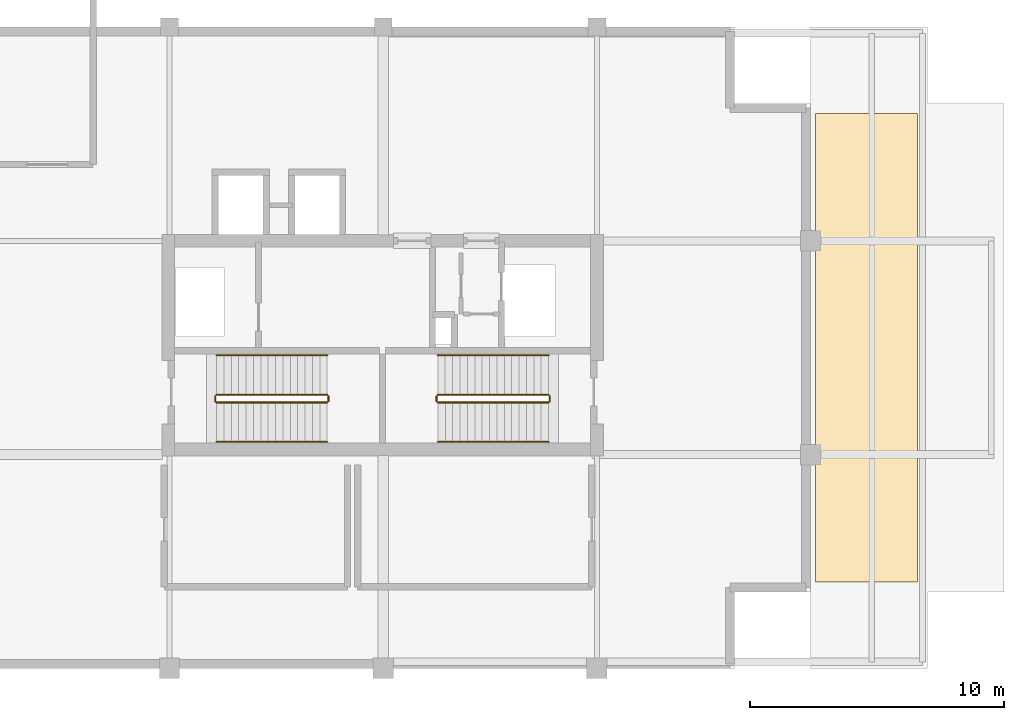
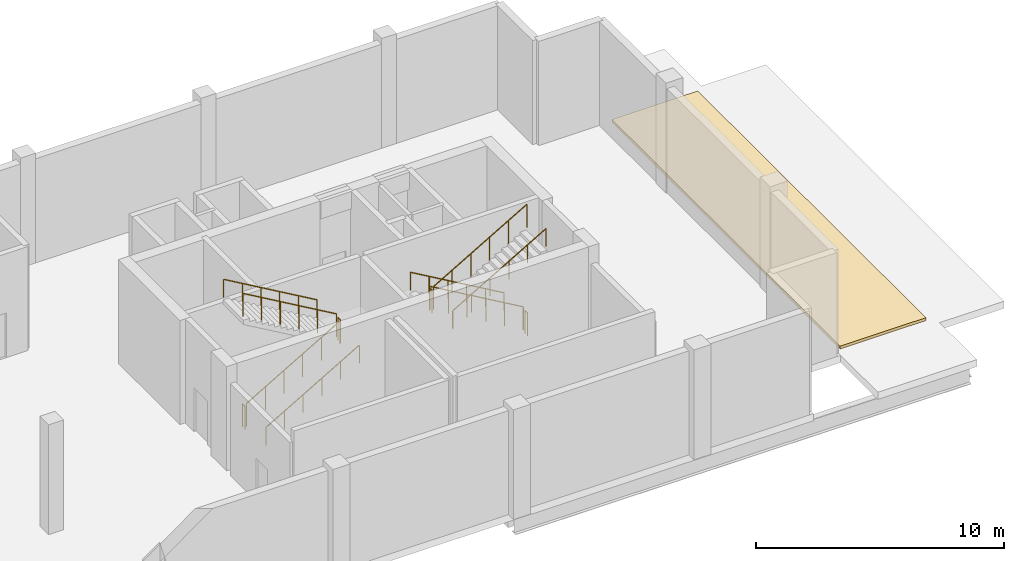
# One storey, part 6 of 7: 12 railings, 1 covering.
"""IFC4 building model written with IfcOpenShell, lengths in metres."""

from ifc_helpers import new_model, si_unit, direction, frame, origin, origin_2d, place, context, subcontext, project, spatial, polyline, circle, outline, extrude, material, layer, layer_set, type_object, element, save


model = new_model("IFC4")

# Units and contexts
model_context = context("Model", 3, precision=1e-05, world=origin(), true_north=direction((0.0, 1.0)))
body_context = subcontext(model_context, "Body", "Model", "MODEL_VIEW")
ifc_project = project(units=[si_unit("LENGTHUNIT", "METRE"), si_unit("AREAUNIT", "SQUARE_METRE"), si_unit("VOLUMEUNIT", "CUBIC_METRE"), si_unit("PLANEANGLEUNIT", "RADIAN"), si_unit("MASSUNIT", "GRAM", prefix="KILO")], contexts=[model_context])

# Site, building, storey
site_placement = place(None, origin())
site = spatial("IfcSite", under=ifc_project, at=site_placement, CompositionType="ELEMENT")
building_placement = place(site_placement, origin())
building = spatial("IfcBuilding", under=site, at=building_placement, Name="Koriwani Terraces Tower", CompositionType="ELEMENT")
storey_placement = place(building_placement, frame((0.0, 0.0, 368.60009765625)))
storey = spatial("IfcBuildingStorey", under=building, at=storey_placement, Name="L91", CompositionType="ELEMENT", Elevation=368.60009765625)

# Railings
ifc_material_1 = material(Name="Steel ASTM A572 Grade 50", Category="steel")
railing_type_1 = type_object("IfcRailingType", Name="GUARD_STAIR_WELL_1120", PredefinedType="GUARDRAIL", material=ifc_material_1)
railing_1_placement = place(storey_placement, frame((43.85009765625, 18.85009765625, 0.168701171875)))
element("IfcRailing", 1, at=railing_1_placement, inside=storey, type_object=railing_type_1, Name="L91 ST-E1 stair guard 1", PredefinedType="GUARDRAIL", context=body_context, shape_type="SweptSolid", body=[
    extrude(circle(Radius=0.02392578125, at=origin_2d()), frame((0.0, 0.0, 1.1259765625), z_axis=(0.864311530196, 0.0, 0.502956835891), x_axis=(0.0, 1.0, 0.0)), (0.0, 0.0, 1.0), 5.03271484375),
    extrude(circle(Radius=0.02099609375, at=origin_2d()), origin(), (0.0, 0.0, 1.0), 1.101806640625),
    extrude(circle(Radius=0.02099609375, at=origin_2d()), frame((0.869873046875, 0.0, 0.50634765625)), (0.0, 0.0, 1.0), 1.101806640625),
    extrude(circle(Radius=0.02099609375, at=origin_2d()), frame((1.739990234375, 0.0, 1.012451171875)), (0.0, 0.0, 1.0), 1.101806640625),
    extrude(circle(Radius=0.02099609375, at=origin_2d()), frame((2.60986328125, 0.0, 1.518798828125)), (0.0, 0.0, 1.0), 1.101806640625),
    extrude(circle(Radius=0.02099609375, at=origin_2d()), frame((3.47998046875, 0.0, 2.02490234375)), (0.0, 0.0, 1.0), 1.101806640625),
    extrude(circle(Radius=0.02099609375, at=origin_2d()), frame((4.349853515625, 0.0, 2.53125)), (0.0, 0.0, 1.0), 1.101806640625),
])
railing_2_placement = place(storey_placement, frame((48.25, 18.89990234375, 2.699951171875)))
element("IfcRailing", 2, at=railing_2_placement, inside=storey, type_object=railing_type_1, Name="L91 ST-E1 stair guard 2", PredefinedType="GUARDRAIL", context=body_context, shape_type="SweptSolid", body=[
    extrude(circle(Radius=0.02392578125, at=origin_2d()), frame((0.0, 0.0, 1.1259765625), z_axis=(0.0, 1.0, 0.0), x_axis=(-1.0, 0.0, 0.0)), (0.0, 0.0, 1.0), 0.2001953125),
    extrude(circle(Radius=0.02099609375, at=origin_2d()), origin(), (0.0, 0.0, 1.0), 1.101806640625),
    extrude(circle(Radius=0.02099609375, at=origin_2d()), frame((0.0, 0.2001953125, 0.0)), (0.0, 0.0, 1.0), 1.101806640625),
])
railing_3_placement = place(storey_placement, frame((48.199951171875, 19.14990234375, 2.86865234375)))
element("IfcRailing", 3, at=railing_3_placement, inside=storey, type_object=railing_type_1, Name="L91 ST-E1 stair guard 3", PredefinedType="GUARDRAIL", context=body_context, shape_type="SweptSolid", body=[
    extrude(circle(Radius=0.02392578125, at=origin_2d()), frame((0.0, 0.0, 1.1259765625), z_axis=(-0.864311530196, 0.0, 0.502956835891), x_axis=(0.0, -1.0, 0.0)), (0.0, 0.0, 1.0), 5.03271484375),
    extrude(circle(Radius=0.02099609375, at=origin_2d()), origin(), (0.0, 0.0, 1.0), 1.101806640625),
    extrude(circle(Radius=0.02099609375, at=origin_2d()), frame((-0.869873046875, 0.0, 0.50634765625)), (0.0, 0.0, 1.0), 1.101806640625),
    extrude(circle(Radius=0.02099609375, at=origin_2d()), frame((-1.739990234375, 0.0, 1.012451171875)), (0.0, 0.0, 1.0), 1.101806640625),
    extrude(circle(Radius=0.02099609375, at=origin_2d()), frame((-2.60986328125, 0.0, 1.518798828125)), (0.0, 0.0, 1.0), 1.101806640625),
    extrude(circle(Radius=0.02099609375, at=origin_2d()), frame((-3.47998046875, 0.0, 2.02490234375)), (0.0, 0.0, 1.0), 1.101806640625),
    extrude(circle(Radius=0.02099609375, at=origin_2d()), frame((-4.349853515625, 0.0, 2.53125)), (0.0, 0.0, 1.0), 1.101806640625),
])
railing_4_placement = place(storey_placement, frame((43.800048828125, 18.89990234375, 0.0)))
element("IfcRailing", 4, at=railing_4_placement, inside=storey, type_object=railing_type_1, Name="L91 ST-E1 stair guard 4", PredefinedType="GUARDRAIL", context=body_context, shape_type="SweptSolid", body=[
    extrude(circle(Radius=0.02392578125, at=origin_2d()), frame((0.0, 0.0, 1.1259765625), z_axis=(0.0, 1.0, 0.0), x_axis=(-1.0, 0.0, 0.0)), (0.0, 0.0, 1.0), 0.2001953125),
    extrude(circle(Radius=0.02099609375, at=origin_2d()), origin(), (0.0, 0.0, 1.0), 1.101806640625),
    extrude(circle(Radius=0.02099609375, at=origin_2d()), frame((0.0, 0.2001953125, 0.0)), (0.0, 0.0, 1.0), 1.101806640625),
])
railing_5_placement = place(storey_placement, frame((56.89990234375, 19.14990234375, 0.168701171875)))
element("IfcRailing", 5, at=railing_5_placement, inside=storey, type_object=railing_type_1, Name="L91 ST-E2 stair guard 1", PredefinedType="GUARDRAIL", context=body_context, shape_type="SweptSolid", body=[
    extrude(circle(Radius=0.02392578125, at=origin_2d()), frame((0.0, 0.0, 1.1259765625), z_axis=(-0.864311530196, 0.0, 0.502956835891), x_axis=(0.0, -1.0, 0.0)), (0.0, 0.0, 1.0), 5.03271484375),
    extrude(circle(Radius=0.02099609375, at=origin_2d()), origin(), (0.0, 0.0, 1.0), 1.101806640625),
    extrude(circle(Radius=0.02099609375, at=origin_2d()), frame((-0.869873046875, 0.0, 0.50634765625)), (0.0, 0.0, 1.0), 1.101806640625),
    extrude(circle(Radius=0.02099609375, at=origin_2d()), frame((-1.739990234375, 0.0, 1.012451171875)), (0.0, 0.0, 1.0), 1.101806640625),
    extrude(circle(Radius=0.02099609375, at=origin_2d()), frame((-2.60986328125, 0.0, 1.518798828125)), (0.0, 0.0, 1.0), 1.101806640625),
    extrude(circle(Radius=0.02099609375, at=origin_2d()), frame((-3.47998046875, 0.0, 2.02490234375)), (0.0, 0.0, 1.0), 1.101806640625),
    extrude(circle(Radius=0.02099609375, at=origin_2d()), frame((-4.349853515625, 0.0, 2.53125)), (0.0, 0.0, 1.0), 1.101806640625),
])
railing_6_placement = place(storey_placement, frame((52.5, 19.10009765625, 2.699951171875)))
element("IfcRailing", 6, at=railing_6_placement, inside=storey, type_object=railing_type_1, Name="L91 ST-E2 stair guard 2", PredefinedType="GUARDRAIL", context=body_context, shape_type="SweptSolid", body=[
    extrude(circle(Radius=0.02392578125, at=origin_2d()), frame((0.0, 0.0, 1.1259765625), z_axis=(0.0, -1.0, 0.0), x_axis=(1.0, 0.0, 0.0)), (0.0, 0.0, 1.0), 0.2001953125),
    extrude(circle(Radius=0.02099609375, at=origin_2d()), origin(), (0.0, 0.0, 1.0), 1.101806640625),
    extrude(circle(Radius=0.02099609375, at=origin_2d()), frame((0.0, -0.2001953125, 0.0)), (0.0, 0.0, 1.0), 1.101806640625),
])
railing_7_placement = place(storey_placement, frame((52.550048828125, 18.85009765625, 2.86865234375)))
element("IfcRailing", 7, at=railing_7_placement, inside=storey, type_object=railing_type_1, Name="L91 ST-E2 stair guard 3", PredefinedType="GUARDRAIL", context=body_context, shape_type="SweptSolid", body=[
    extrude(circle(Radius=0.02392578125, at=origin_2d()), frame((0.0, 0.0, 1.1259765625), z_axis=(0.864311530196, 0.0, 0.502956835891), x_axis=(0.0, 1.0, 0.0)), (0.0, 0.0, 1.0), 5.03271484375),
    extrude(circle(Radius=0.02099609375, at=origin_2d()), origin(), (0.0, 0.0, 1.0), 1.101806640625),
    extrude(circle(Radius=0.02099609375, at=origin_2d()), frame((0.869873046875, 0.0, 0.50634765625)), (0.0, 0.0, 1.0), 1.101806640625),
    extrude(circle(Radius=0.02099609375, at=origin_2d()), frame((1.739990234375, 0.0, 1.012451171875)), (0.0, 0.0, 1.0), 1.101806640625),
    extrude(circle(Radius=0.02099609375, at=origin_2d()), frame((2.60986328125, 0.0, 1.518798828125)), (0.0, 0.0, 1.0), 1.101806640625),
    extrude(circle(Radius=0.02099609375, at=origin_2d()), frame((3.47998046875, 0.0, 2.02490234375)), (0.0, 0.0, 1.0), 1.101806640625),
    extrude(circle(Radius=0.02099609375, at=origin_2d()), frame((4.349853515625, 0.0, 2.53125)), (0.0, 0.0, 1.0), 1.101806640625),
])
railing_8_placement = place(storey_placement, frame((56.949951171875, 19.10009765625, 0.0)))
element("IfcRailing", 8, at=railing_8_placement, inside=storey, type_object=railing_type_1, Name="L91 ST-E2 stair guard 4", PredefinedType="GUARDRAIL", context=body_context, shape_type="SweptSolid", body=[
    extrude(circle(Radius=0.02392578125, at=origin_2d()), frame((0.0, 0.0, 1.1259765625), z_axis=(0.0, -1.0, 0.0), x_axis=(1.0, 0.0, 0.0)), (0.0, 0.0, 1.0), 0.2001953125),
    extrude(circle(Radius=0.02099609375, at=origin_2d()), origin(), (0.0, 0.0, 1.0), 1.101806640625),
    extrude(circle(Radius=0.02099609375, at=origin_2d()), frame((0.0, -0.2001953125, 0.0)), (0.0, 0.0, 1.0), 1.101806640625),
])
railing_type_2 = type_object("IfcRailingType", Name="HANDRAIL_STAIR_920", PredefinedType="HANDRAIL", material=ifc_material_1)
railing_9_placement = place(storey_placement, frame((43.85009765625, 17.300048828125, 0.168701171875)))
element("IfcRailing", 9, at=railing_9_placement, inside=storey, type_object=railing_type_2, Name="L91 ST-E1 stair handrail 1", PredefinedType="HANDRAIL", context=body_context, shape_type="SweptSolid", body=[
    extrude(circle(Radius=0.02392578125, at=origin_2d()), frame((0.0, 0.0, 0.8759765625), z_axis=(0.864311530196, 0.0, 0.502956835891), x_axis=(0.0, 1.0, 0.0)), (0.0, 0.0, 1.0), 5.03271484375),
    extrude(circle(Radius=0.02099609375, at=origin_2d()), origin(), (0.0, 0.0, 1.0), 0.851806640625),
    extrude(circle(Radius=0.02099609375, at=origin_2d()), frame((0.869873046875, 0.0, 0.50634765625)), (0.0, 0.0, 1.0), 0.851806640625),
    extrude(circle(Radius=0.02099609375, at=origin_2d()), frame((1.739990234375, 0.0, 1.012451171875)), (0.0, 0.0, 1.0), 0.851806640625),
    extrude(circle(Radius=0.02099609375, at=origin_2d()), frame((2.60986328125, 0.0, 1.518798828125)), (0.0, 0.0, 1.0), 0.851806640625),
    extrude(circle(Radius=0.02099609375, at=origin_2d()), frame((3.47998046875, 0.0, 2.02490234375)), (0.0, 0.0, 1.0), 0.851806640625),
    extrude(circle(Radius=0.02099609375, at=origin_2d()), frame((4.349853515625, 0.0, 2.53125)), (0.0, 0.0, 1.0), 0.851806640625),
])
for number, where, name in (
    (10, (48.199951171875, 20.699951171875, 2.86865234375), "L91 ST-E1 stair handrail 2"),
    (11, (56.89990234375, 20.699951171875, 0.168701171875), "L91 ST-E2 stair handrail 1"),
):
    element("IfcRailing", number, at=place(storey_placement, frame(where)), inside=storey, type_object=railing_type_2, Name=name, PredefinedType="HANDRAIL", context=body_context, shape_type="SweptSolid", body=[
        extrude(circle(Radius=0.02392578125, at=origin_2d()), frame((0.0, 0.0, 0.8759765625), z_axis=(-0.864311530196, 0.0, 0.502956835891), x_axis=(0.0, -1.0, 0.0)), (0.0, 0.0, 1.0), 5.03271484375),
        extrude(circle(Radius=0.02099609375, at=origin_2d()), origin(), (0.0, 0.0, 1.0), 0.851806640625),
        extrude(circle(Radius=0.02099609375, at=origin_2d()), frame((-0.869873046875, 0.0, 0.50634765625)), (0.0, 0.0, 1.0), 0.851806640625),
        extrude(circle(Radius=0.02099609375, at=origin_2d()), frame((-1.739990234375, 0.0, 1.012451171875)), (0.0, 0.0, 1.0), 0.851806640625),
        extrude(circle(Radius=0.02099609375, at=origin_2d()), frame((-2.60986328125, 0.0, 1.518798828125)), (0.0, 0.0, 1.0), 0.851806640625),
        extrude(circle(Radius=0.02099609375, at=origin_2d()), frame((-3.47998046875, 0.0, 2.02490234375)), (0.0, 0.0, 1.0), 0.851806640625),
        extrude(circle(Radius=0.02099609375, at=origin_2d()), frame((-4.349853515625, 0.0, 2.53125)), (0.0, 0.0, 1.0), 0.851806640625),
    ])
railing_10_placement = place(storey_placement, frame((52.550048828125, 17.300048828125, 2.86865234375)))
element("IfcRailing", 12, at=railing_10_placement, inside=storey, type_object=railing_type_2, Name="L91 ST-E2 stair handrail 2", PredefinedType="HANDRAIL", context=body_context, shape_type="SweptSolid", body=[
    extrude(circle(Radius=0.02392578125, at=origin_2d()), frame((0.0, 0.0, 0.8759765625), z_axis=(0.864311530196, 0.0, 0.502956835891), x_axis=(0.0, 1.0, 0.0)), (0.0, 0.0, 1.0), 5.03271484375),
    extrude(circle(Radius=0.02099609375, at=origin_2d()), origin(), (0.0, 0.0, 1.0), 0.851806640625),
    extrude(circle(Radius=0.02099609375, at=origin_2d()), frame((0.869873046875, 0.0, 0.50634765625)), (0.0, 0.0, 1.0), 0.851806640625),
    extrude(circle(Radius=0.02099609375, at=origin_2d()), frame((1.739990234375, 0.0, 1.012451171875)), (0.0, 0.0, 1.0), 0.851806640625),
    extrude(circle(Radius=0.02099609375, at=origin_2d()), frame((2.60986328125, 0.0, 1.518798828125)), (0.0, 0.0, 1.0), 0.851806640625),
    extrude(circle(Radius=0.02099609375, at=origin_2d()), frame((3.47998046875, 0.0, 2.02490234375)), (0.0, 0.0, 1.0), 0.851806640625),
    extrude(circle(Radius=0.02099609375, at=origin_2d()), frame((4.349853515625, 0.0, 2.53125)), (0.0, 0.0, 1.0), 0.851806640625),
])

# Covering
ifc_material_2 = material(Name="Insulated Modified Bitumen Roofing", Category="masonry")
ifc_layer = layer(ifc_material_2, 0.139892578125, Name="Insulated Modified Bitumen Roofing")
ifc_layer_set = layer_set([ifc_layer], Name="Insulated Modified Bitumen Roofing")
covering_type = type_object("IfcCoveringType", Name="ROOFING_MEMBRANE_INSUL", PredefinedType="ROOFING", material=ifc_layer_set)
covering_placement = place(storey_placement, origin())
element("IfcCovering", 13, at=covering_placement, inside=storey, type_object=covering_type, Name="L91 Sky-Lounge Cantilever Roof Insulated Membrane", PredefinedType="ROOFING", context=body_context, shape_type="SweptSolid", body=[
    extrude(outline(polyline([(67.39990234375, 11.800048828125), (71.39990234375, 11.800048828125), (71.39990234375, 30.199951171875), (67.39990234375, 30.199951171875), (67.39990234375, 11.800048828125)])), origin(), (0.0, 0.0, 1.0), 0.139892578125),
])

save(model, "model.ifc")
